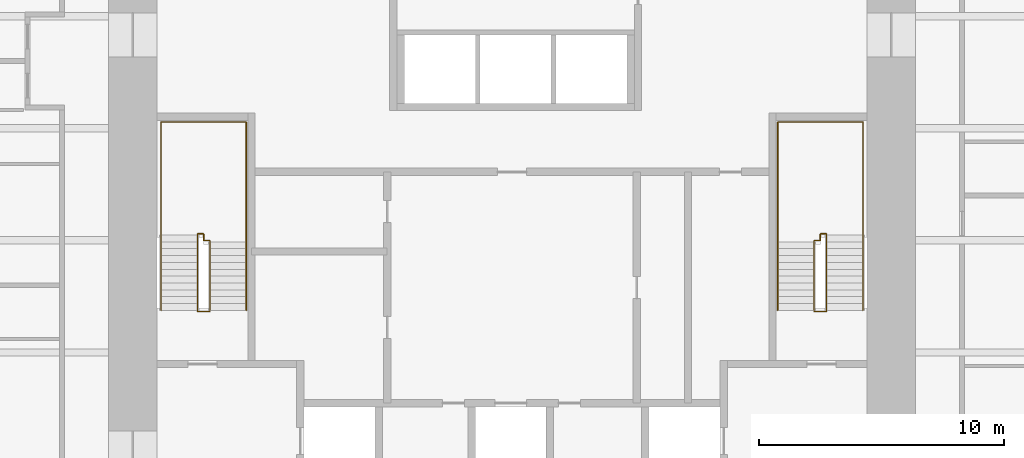
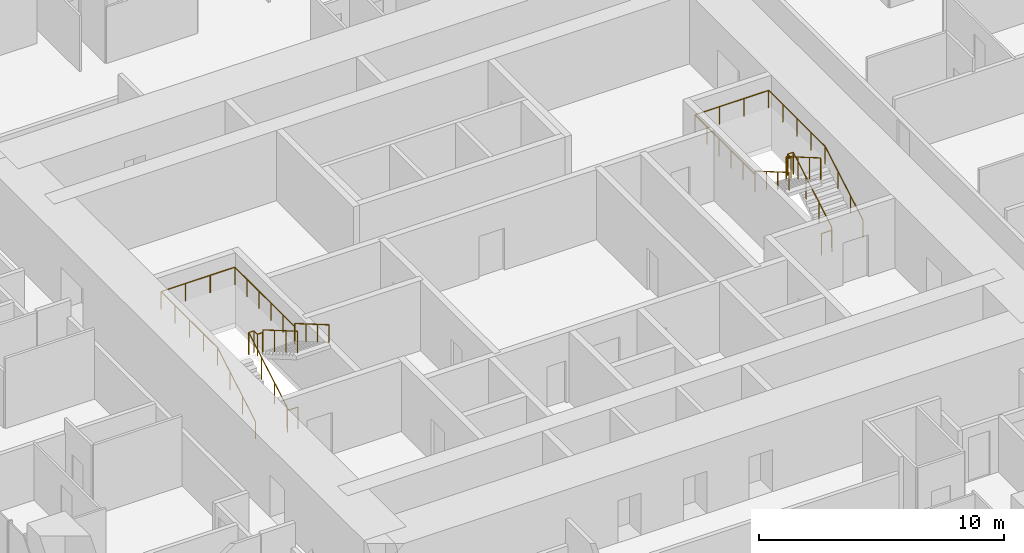
# One storey, part 13 of 13: 4 railings.
"""IFC4 building model written with IfcOpenShell, lengths in metres."""

from ifc_helpers import new_model, si_unit, direction, frame, origin, origin_2d, place, context, subcontext, project, spatial, circle, extrude, material, type_object, element, save


model = new_model("IFC4")

# Units and contexts
model_context = context("Model", 3, precision=1e-05, world=origin(), true_north=direction((0.0, 1.0)))
body_context = subcontext(model_context, "Body", "Model", "MODEL_VIEW")
ifc_project = project(units=[si_unit("LENGTHUNIT", "METRE"), si_unit("AREAUNIT", "SQUARE_METRE"), si_unit("VOLUMEUNIT", "CUBIC_METRE"), si_unit("PLANEANGLEUNIT", "RADIAN"), si_unit("MASSUNIT", "GRAM", prefix="KILO")], contexts=[model_context])

# Site, building, storey
site_placement = place(None, origin())
site = spatial("IfcSite", under=ifc_project, at=site_placement, CompositionType="ELEMENT")
building_placement = place(site_placement, origin())
building = spatial("IfcBuilding", under=site, at=building_placement, Name="Khuree Lantern Residences", CompositionType="ELEMENT")
storey_placement = place(building_placement, frame((0.0, 0.0, 163.5)))
storey = spatial("IfcBuildingStorey", under=building, at=storey_placement, Name="L41", CompositionType="ELEMENT", Elevation=163.5)

# Railings
ifc_material = material(Name="Steel S355", Category="steel")
railing_type_1 = type_object("IfcRailingType", Name="STAIR GUARD G1 1100", PredefinedType="GUARDRAIL", material=ifc_material)
railing_1_placement = place(storey_placement, frame((-12.35009765625, -2.909912109375, 0.0)))
element("IfcRailing", 1, at=railing_1_placement, inside=storey, type_object=railing_type_1, Name="Stair ST1 guard", PredefinedType="GUARDRAIL", context=body_context, shape_type="SweptSolid", body=[
    extrude(circle(Radius=0.02392578125, at=origin_2d()), frame((0.0, 0.0, 1.076171875), z_axis=(-1.0, 0.0, 0.0), x_axis=(0.0, -1.0, 0.0)), (0.0, 0.0, 1.0), 0.5),
    extrude(circle(Radius=0.02392578125, at=origin_2d()), frame((-0.5, 0.0, 1.076171875), z_axis=(0.0, 0.292073035251, 0.95639601739), x_axis=(-1.0, 0.0, 0.0)), (0.0, 0.0, 1.0), 0.17041015625),
    extrude(circle(Radius=0.02392578125, at=origin_2d()), frame((-0.5, 0.0498046875, 1.2392578125), z_axis=(0.0, 0.864176135923, 0.503189433615), x_axis=(-1.0, 0.0, 0.0)), (0.0, 0.0, 1.0), 3.564208984375),
    extrude(circle(Radius=0.02392578125, at=origin_2d()), frame((-0.5, 3.1298828125, 3.03271484375), z_axis=(0.0, 1.0, 0.0), x_axis=(-1.0, 0.0, 0.0)), (0.0, 0.0, 1.0), 0.050048828125),
    extrude(circle(Radius=0.02392578125, at=origin_2d()), frame((-0.5, 3.179931640625, 3.03271484375), z_axis=(1.0, 0.0, 0.0), x_axis=(0.0, 1.0, 0.0)), (0.0, 0.0, 1.0), 0.25),
    extrude(circle(Radius=0.02392578125, at=origin_2d()), frame((-0.25, 3.179931640625, 3.03271484375), z_axis=(0.0, -1.0, 0.0), x_axis=(1.0, 0.0, 0.0)), (0.0, 0.0, 1.0), 0.280029296875),
    extrude(circle(Radius=0.02392578125, at=origin_2d()), frame((-0.25, 2.89990234375, 3.03271484375), z_axis=(1.0, 0.0, 0.0), x_axis=(0.0, 1.0, 0.0)), (0.0, 0.0, 1.0), 0.25),
    extrude(circle(Radius=0.02392578125, at=origin_2d()), frame((0.0, 2.89990234375, 3.03271484375), z_axis=(0.0, -0.293381807449, 0.955995353053), x_axis=(1.0, 0.0, 0.0)), (0.0, 0.0, 1.0), 0.170654296875),
    extrude(circle(Radius=0.02392578125, at=origin_2d()), frame((0.0, 2.849853515625, 3.19580078125), z_axis=(0.0, -0.864180358799, 0.503182181189), x_axis=(1.0, 0.0, 0.0)), (0.0, 0.0, 1.0), 3.240234375),
    extrude(circle(Radius=0.02099609375, at=origin_2d()), origin(), (0.0, 0.0, 1.0), 1.052001953125),
    extrude(circle(Radius=0.02099609375, at=origin_2d()), frame((-0.5, 0.0, 0.0)), (0.0, 0.0, 1.0), 1.052001953125),
    extrude(circle(Radius=0.02099609375, at=origin_2d()), frame((-0.5, 0.0498046875, 0.1630859375)), (0.0, 0.0, 1.0), 1.052001953125),
    extrude(circle(Radius=0.02099609375, at=origin_2d()), frame((-0.5, 1.076416015625, 0.760986328125)), (0.0, 0.0, 1.0), 1.052001953125),
    extrude(circle(Radius=0.02099609375, at=origin_2d()), frame((-0.5, 2.103271484375, 1.358642578125)), (0.0, 0.0, 1.0), 1.052001953125),
    extrude(circle(Radius=0.02099609375, at=origin_2d()), frame((-0.5, 3.1298828125, 1.95654296875)), (0.0, 0.0, 1.0), 1.052001953125),
    extrude(circle(Radius=0.02099609375, at=origin_2d()), frame((-0.5, 3.179931640625, 1.95654296875)), (0.0, 0.0, 1.0), 1.052001953125),
    extrude(circle(Radius=0.02099609375, at=origin_2d()), frame((-0.25, 3.179931640625, 1.95654296875)), (0.0, 0.0, 1.0), 1.052001953125),
    extrude(circle(Radius=0.02099609375, at=origin_2d()), frame((-0.25, 2.89990234375, 1.95654296875)), (0.0, 0.0, 1.0), 1.052001953125),
    extrude(circle(Radius=0.02099609375, at=origin_2d()), frame((0.0, 2.89990234375, 1.95654296875)), (0.0, 0.0, 1.0), 1.052001953125),
    extrude(circle(Radius=0.02099609375, at=origin_2d()), frame((0.0, 2.849853515625, 2.11962890625)), (0.0, 0.0, 1.0), 1.052001953125),
    extrude(circle(Radius=0.02099609375, at=origin_2d()), frame((0.0, 1.91650390625, 2.6630859375)), (0.0, 0.0, 1.0), 1.052001953125),
    extrude(circle(Radius=0.02099609375, at=origin_2d()), frame((0.0, 0.983154296875, 3.20654296875)), (0.0, 0.0, 1.0), 1.052001953125),
    extrude(circle(Radius=0.02099609375, at=origin_2d()), frame((0.0, 0.0498046875, 3.75)), (0.0, 0.0, 1.0), 1.052001953125),
])
railing_2_placement = place(storey_placement, frame((12.35009765625, -2.909912109375, 0.0)))
element("IfcRailing", 2, at=railing_2_placement, inside=storey, type_object=railing_type_1, Name="Stair ST2 guard", PredefinedType="GUARDRAIL", context=body_context, shape_type="SweptSolid", body=[
    extrude(circle(Radius=0.02392578125, at=origin_2d()), frame((0.0, 0.0, 1.076171875), z_axis=(1.0, 0.0, 0.0), x_axis=(0.0, 1.0, 0.0)), (0.0, 0.0, 1.0), 0.5),
    extrude(circle(Radius=0.02392578125, at=origin_2d()), frame((0.5, 0.0, 1.076171875), z_axis=(0.0, 0.292073035251, 0.95639601739), x_axis=(-1.0, 0.0, 0.0)), (0.0, 0.0, 1.0), 0.17041015625),
    extrude(circle(Radius=0.02392578125, at=origin_2d()), frame((0.5, 0.0498046875, 1.2392578125), z_axis=(0.0, 0.864176135923, 0.503189433615), x_axis=(-1.0, 0.0, 0.0)), (0.0, 0.0, 1.0), 3.564208984375),
    extrude(circle(Radius=0.02392578125, at=origin_2d()), frame((0.5, 3.1298828125, 3.03271484375), z_axis=(0.0, 1.0, 0.0), x_axis=(-1.0, 0.0, 0.0)), (0.0, 0.0, 1.0), 0.050048828125),
    extrude(circle(Radius=0.02392578125, at=origin_2d()), frame((0.5, 3.179931640625, 3.03271484375), z_axis=(-1.0, 0.0, 0.0), x_axis=(0.0, -1.0, 0.0)), (0.0, 0.0, 1.0), 0.25),
    extrude(circle(Radius=0.02392578125, at=origin_2d()), frame((0.25, 3.179931640625, 3.03271484375), z_axis=(0.0, -1.0, 0.0), x_axis=(1.0, 0.0, 0.0)), (0.0, 0.0, 1.0), 0.280029296875),
    extrude(circle(Radius=0.02392578125, at=origin_2d()), frame((0.25, 2.89990234375, 3.03271484375), z_axis=(-1.0, 0.0, 0.0), x_axis=(0.0, -1.0, 0.0)), (0.0, 0.0, 1.0), 0.25),
    extrude(circle(Radius=0.02392578125, at=origin_2d()), frame((0.0, 2.89990234375, 3.03271484375), z_axis=(0.0, -0.293381807449, 0.955995353053), x_axis=(1.0, 0.0, 0.0)), (0.0, 0.0, 1.0), 0.170654296875),
    extrude(circle(Radius=0.02392578125, at=origin_2d()), frame((0.0, 2.849853515625, 3.19580078125), z_axis=(0.0, -0.864180358799, 0.503182181189), x_axis=(1.0, 0.0, 0.0)), (0.0, 0.0, 1.0), 3.240234375),
    extrude(circle(Radius=0.02099609375, at=origin_2d()), origin(), (0.0, 0.0, 1.0), 1.052001953125),
    extrude(circle(Radius=0.02099609375, at=origin_2d()), frame((0.5, 0.0, 0.0)), (0.0, 0.0, 1.0), 1.052001953125),
    extrude(circle(Radius=0.02099609375, at=origin_2d()), frame((0.5, 0.0498046875, 0.1630859375)), (0.0, 0.0, 1.0), 1.052001953125),
    extrude(circle(Radius=0.02099609375, at=origin_2d()), frame((0.5, 1.076416015625, 0.760986328125)), (0.0, 0.0, 1.0), 1.052001953125),
    extrude(circle(Radius=0.02099609375, at=origin_2d()), frame((0.5, 2.103271484375, 1.358642578125)), (0.0, 0.0, 1.0), 1.052001953125),
    extrude(circle(Radius=0.02099609375, at=origin_2d()), frame((0.5, 3.1298828125, 1.95654296875)), (0.0, 0.0, 1.0), 1.052001953125),
    extrude(circle(Radius=0.02099609375, at=origin_2d()), frame((0.5, 3.179931640625, 1.95654296875)), (0.0, 0.0, 1.0), 1.052001953125),
    extrude(circle(Radius=0.02099609375, at=origin_2d()), frame((0.25, 3.179931640625, 1.95654296875)), (0.0, 0.0, 1.0), 1.052001953125),
    extrude(circle(Radius=0.02099609375, at=origin_2d()), frame((0.25, 2.89990234375, 1.95654296875)), (0.0, 0.0, 1.0), 1.052001953125),
    extrude(circle(Radius=0.02099609375, at=origin_2d()), frame((0.0, 2.89990234375, 1.95654296875)), (0.0, 0.0, 1.0), 1.052001953125),
    extrude(circle(Radius=0.02099609375, at=origin_2d()), frame((0.0, 2.849853515625, 2.11962890625)), (0.0, 0.0, 1.0), 1.052001953125),
    extrude(circle(Radius=0.02099609375, at=origin_2d()), frame((0.0, 1.91650390625, 2.6630859375)), (0.0, 0.0, 1.0), 1.052001953125),
    extrude(circle(Radius=0.02099609375, at=origin_2d()), frame((0.0, 0.983154296875, 3.20654296875)), (0.0, 0.0, 1.0), 1.052001953125),
    extrude(circle(Radius=0.02099609375, at=origin_2d()), frame((0.0, 0.0498046875, 3.75)), (0.0, 0.0, 1.0), 1.052001953125),
])
railing_type_2 = type_object("IfcRailingType", Name="STAIR HANDRAIL H1 900", PredefinedType="HANDRAIL", material=ifc_material)
railing_3_placement = place(storey_placement, frame((-14.340087890625, -2.860107421875, 0.1630859375)))
element("IfcRailing", 3, at=railing_3_placement, inside=storey, type_object=railing_type_2, Name="Stair ST1 handrail", PredefinedType="HANDRAIL", context=body_context, shape_type="SweptSolid", body=[
    extrude(circle(Radius=0.02392578125, at=origin_2d()), frame((0.0, 0.0, 0.8759765625), z_axis=(0.0, 0.864176135923, 0.503189433615), x_axis=(-1.0, 0.0, 0.0)), (0.0, 0.0, 1.0), 3.564208984375),
    extrude(circle(Radius=0.02392578125, at=origin_2d()), frame((0.0, 3.080078125, 2.66943359375), z_axis=(0.0, 1.0, 0.0), x_axis=(-1.0, 0.0, 0.0)), (0.0, 0.0, 1.0), 4.6201171875),
    extrude(circle(Radius=0.02392578125, at=origin_2d()), frame((0.0, 7.7001953125, 2.66943359375), z_axis=(1.0, 0.0, 0.0), x_axis=(0.0, 1.0, 0.0)), (0.0, 0.0, 1.0), 3.47998046875),
    extrude(circle(Radius=0.02392578125, at=origin_2d()), frame((3.47998046875, 7.7001953125, 2.66943359375), z_axis=(0.0, -1.0, 0.0), x_axis=(1.0, 0.0, 0.0)), (0.0, 0.0, 1.0), 4.900146484375),
    extrude(circle(Radius=0.02392578125, at=origin_2d()), frame((3.47998046875, 2.800048828125, 2.66943359375), z_axis=(0.0, 0.0, 1.0), x_axis=(1.0, 0.0, 0.0)), (0.0, 0.0, 1.0), 0.1630859375),
    extrude(circle(Radius=0.02392578125, at=origin_2d()), frame((3.47998046875, 2.800048828125, 2.83251953125), z_axis=(0.0, -0.864180358799, 0.503182181189), x_axis=(1.0, 0.0, 0.0)), (0.0, 0.0, 1.0), 3.240234375),
    extrude(circle(Radius=0.02099609375, at=origin_2d()), origin(), (0.0, 0.0, 1.0), 0.851806640625),
    extrude(circle(Radius=0.02099609375, at=origin_2d()), frame((0.0, 1.026611328125, 0.597900390625)), (0.0, 0.0, 1.0), 0.851806640625),
    extrude(circle(Radius=0.02099609375, at=origin_2d()), frame((0.0, 2.053466796875, 1.195556640625)), (0.0, 0.0, 1.0), 0.851806640625),
    extrude(circle(Radius=0.02099609375, at=origin_2d()), frame((0.0, 3.080078125, 1.79345703125)), (0.0, 0.0, 1.0), 0.851806640625),
    extrude(circle(Radius=0.02099609375, at=origin_2d()), frame((0.0, 4.235107421875, 1.79345703125)), (0.0, 0.0, 1.0), 0.851806640625),
    extrude(circle(Radius=0.02099609375, at=origin_2d()), frame((0.0, 5.39013671875, 1.79345703125)), (0.0, 0.0, 1.0), 0.851806640625),
    extrude(circle(Radius=0.02099609375, at=origin_2d()), frame((0.0, 6.545166015625, 1.79345703125)), (0.0, 0.0, 1.0), 0.851806640625),
    extrude(circle(Radius=0.02099609375, at=origin_2d()), frame((0.0, 7.7001953125, 1.79345703125)), (0.0, 0.0, 1.0), 0.851806640625),
    extrude(circle(Radius=0.02099609375, at=origin_2d()), frame((1.159912109375, 7.7001953125, 1.79345703125)), (0.0, 0.0, 1.0), 0.851806640625),
    extrude(circle(Radius=0.02099609375, at=origin_2d()), frame((2.320068359375, 7.7001953125, 1.79345703125)), (0.0, 0.0, 1.0), 0.851806640625),
    extrude(circle(Radius=0.02099609375, at=origin_2d()), frame((3.47998046875, 7.7001953125, 1.79345703125)), (0.0, 0.0, 1.0), 0.851806640625),
    extrude(circle(Radius=0.02099609375, at=origin_2d()), frame((3.47998046875, 6.72021484375, 1.79345703125)), (0.0, 0.0, 1.0), 0.851806640625),
    extrude(circle(Radius=0.02099609375, at=origin_2d()), frame((3.47998046875, 5.740234375, 1.79345703125)), (0.0, 0.0, 1.0), 0.851806640625),
    extrude(circle(Radius=0.02099609375, at=origin_2d()), frame((3.47998046875, 4.760009765625, 1.79345703125)), (0.0, 0.0, 1.0), 0.851806640625),
    extrude(circle(Radius=0.02099609375, at=origin_2d()), frame((3.47998046875, 3.780029296875, 1.79345703125)), (0.0, 0.0, 1.0), 0.851806640625),
    extrude(circle(Radius=0.02099609375, at=origin_2d()), frame((3.47998046875, 2.800048828125, 1.79345703125)), (0.0, 0.0, 1.0), 0.851806640625),
    extrude(circle(Radius=0.02099609375, at=origin_2d()), frame((3.47998046875, 2.800048828125, 1.95654296875)), (0.0, 0.0, 1.0), 0.851806640625),
    extrude(circle(Radius=0.02099609375, at=origin_2d()), frame((3.47998046875, 1.86669921875, 2.5)), (0.0, 0.0, 1.0), 0.851806640625),
    extrude(circle(Radius=0.02099609375, at=origin_2d()), frame((3.47998046875, 0.933349609375, 3.04345703125)), (0.0, 0.0, 1.0), 0.851806640625),
    extrude(circle(Radius=0.02099609375, at=origin_2d()), frame((3.47998046875, 0.0, 3.5869140625)), (0.0, 0.0, 1.0), 0.851806640625),
])
railing_4_placement = place(storey_placement, frame((14.340087890625, -2.860107421875, 0.1630859375)))
element("IfcRailing", 4, at=railing_4_placement, inside=storey, type_object=railing_type_2, Name="Stair ST2 handrail", PredefinedType="HANDRAIL", context=body_context, shape_type="SweptSolid", body=[
    extrude(circle(Radius=0.02392578125, at=origin_2d()), frame((0.0, 0.0, 0.8759765625), z_axis=(0.0, 0.864176135923, 0.503189433615), x_axis=(-1.0, 0.0, 0.0)), (0.0, 0.0, 1.0), 3.564208984375),
    extrude(circle(Radius=0.02392578125, at=origin_2d()), frame((0.0, 3.080078125, 2.66943359375), z_axis=(0.0, 1.0, 0.0), x_axis=(-1.0, 0.0, 0.0)), (0.0, 0.0, 1.0), 4.6201171875),
    extrude(circle(Radius=0.02392578125, at=origin_2d()), frame((0.0, 7.7001953125, 2.66943359375), z_axis=(-1.0, 0.0, 0.0), x_axis=(0.0, -1.0, 0.0)), (0.0, 0.0, 1.0), 3.47998046875),
    extrude(circle(Radius=0.02392578125, at=origin_2d()), frame((-3.47998046875, 7.7001953125, 2.66943359375), z_axis=(0.0, -1.0, 0.0), x_axis=(1.0, 0.0, 0.0)), (0.0, 0.0, 1.0), 4.900146484375),
    extrude(circle(Radius=0.02392578125, at=origin_2d()), frame((-3.47998046875, 2.800048828125, 2.66943359375), z_axis=(0.0, 0.0, 1.0), x_axis=(1.0, 0.0, 0.0)), (0.0, 0.0, 1.0), 0.1630859375),
    extrude(circle(Radius=0.02392578125, at=origin_2d()), frame((-3.47998046875, 2.800048828125, 2.83251953125), z_axis=(0.0, -0.864180358799, 0.503182181189), x_axis=(1.0, 0.0, 0.0)), (0.0, 0.0, 1.0), 3.240234375),
    extrude(circle(Radius=0.02099609375, at=origin_2d()), origin(), (0.0, 0.0, 1.0), 0.851806640625),
    extrude(circle(Radius=0.02099609375, at=origin_2d()), frame((0.0, 1.026611328125, 0.597900390625)), (0.0, 0.0, 1.0), 0.851806640625),
    extrude(circle(Radius=0.02099609375, at=origin_2d()), frame((0.0, 2.053466796875, 1.195556640625)), (0.0, 0.0, 1.0), 0.851806640625),
    extrude(circle(Radius=0.02099609375, at=origin_2d()), frame((0.0, 3.080078125, 1.79345703125)), (0.0, 0.0, 1.0), 0.851806640625),
    extrude(circle(Radius=0.02099609375, at=origin_2d()), frame((0.0, 4.235107421875, 1.79345703125)), (0.0, 0.0, 1.0), 0.851806640625),
    extrude(circle(Radius=0.02099609375, at=origin_2d()), frame((0.0, 5.39013671875, 1.79345703125)), (0.0, 0.0, 1.0), 0.851806640625),
    extrude(circle(Radius=0.02099609375, at=origin_2d()), frame((0.0, 6.545166015625, 1.79345703125)), (0.0, 0.0, 1.0), 0.851806640625),
    extrude(circle(Radius=0.02099609375, at=origin_2d()), frame((0.0, 7.7001953125, 1.79345703125)), (0.0, 0.0, 1.0), 0.851806640625),
    extrude(circle(Radius=0.02099609375, at=origin_2d()), frame((-1.159912109375, 7.7001953125, 1.79345703125)), (0.0, 0.0, 1.0), 0.851806640625),
    extrude(circle(Radius=0.02099609375, at=origin_2d()), frame((-2.320068359375, 7.7001953125, 1.79345703125)), (0.0, 0.0, 1.0), 0.851806640625),
    extrude(circle(Radius=0.02099609375, at=origin_2d()), frame((-3.47998046875, 7.7001953125, 1.79345703125)), (0.0, 0.0, 1.0), 0.851806640625),
    extrude(circle(Radius=0.02099609375, at=origin_2d()), frame((-3.47998046875, 6.72021484375, 1.79345703125)), (0.0, 0.0, 1.0), 0.851806640625),
    extrude(circle(Radius=0.02099609375, at=origin_2d()), frame((-3.47998046875, 5.740234375, 1.79345703125)), (0.0, 0.0, 1.0), 0.851806640625),
    extrude(circle(Radius=0.02099609375, at=origin_2d()), frame((-3.47998046875, 4.760009765625, 1.79345703125)), (0.0, 0.0, 1.0), 0.851806640625),
    extrude(circle(Radius=0.02099609375, at=origin_2d()), frame((-3.47998046875, 3.780029296875, 1.79345703125)), (0.0, 0.0, 1.0), 0.851806640625),
    extrude(circle(Radius=0.02099609375, at=origin_2d()), frame((-3.47998046875, 2.800048828125, 1.79345703125)), (0.0, 0.0, 1.0), 0.851806640625),
    extrude(circle(Radius=0.02099609375, at=origin_2d()), frame((-3.47998046875, 2.800048828125, 1.95654296875)), (0.0, 0.0, 1.0), 0.851806640625),
    extrude(circle(Radius=0.02099609375, at=origin_2d()), frame((-3.47998046875, 1.86669921875, 2.5)), (0.0, 0.0, 1.0), 0.851806640625),
    extrude(circle(Radius=0.02099609375, at=origin_2d()), frame((-3.47998046875, 0.933349609375, 3.04345703125)), (0.0, 0.0, 1.0), 0.851806640625),
    extrude(circle(Radius=0.02099609375, at=origin_2d()), frame((-3.47998046875, 0.0, 3.5869140625)), (0.0, 0.0, 1.0), 0.851806640625),
])

save(model, "model.ifc")
